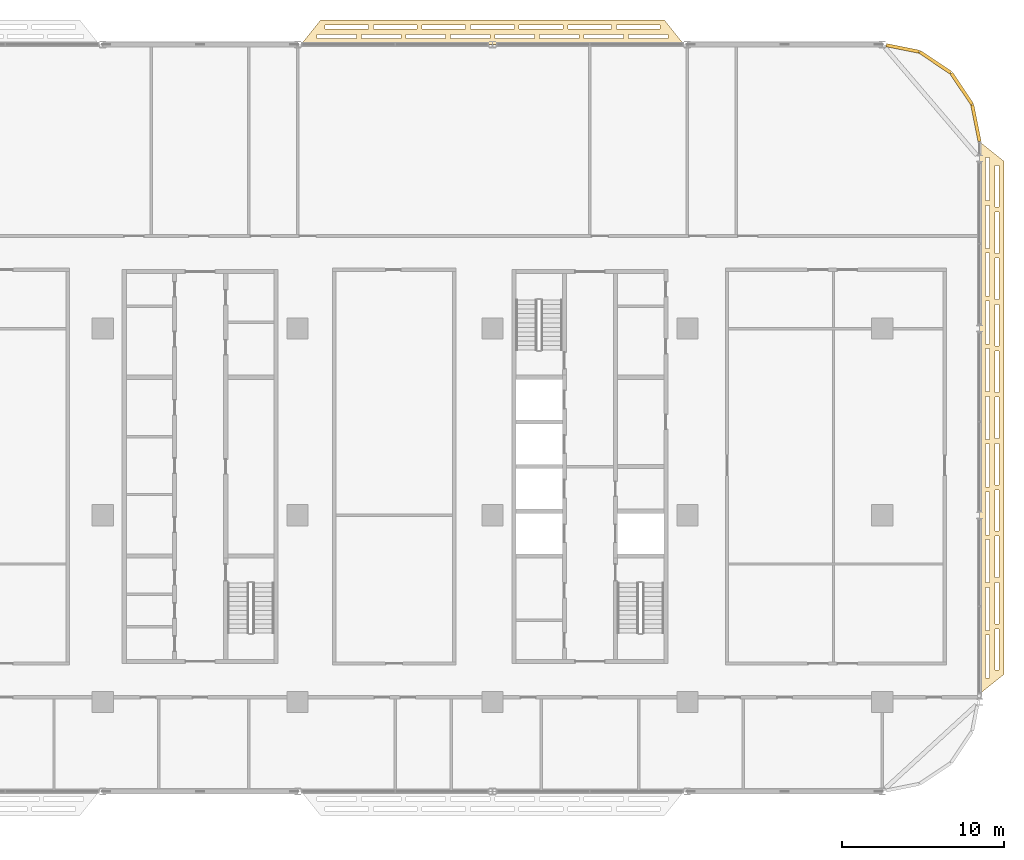
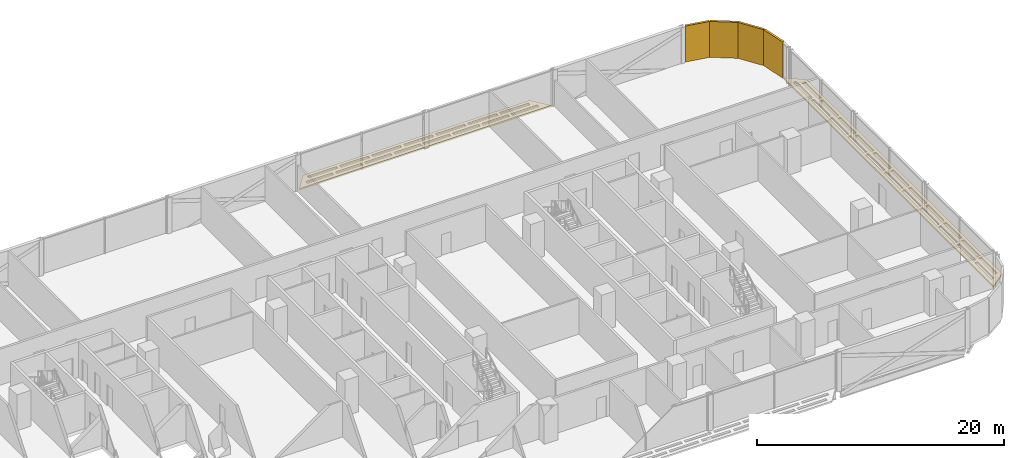
# One storey, part 29 of 29: 6 coverings.
"""IFC4 building model written with IfcOpenShell, lengths in metres."""

from ifc_helpers import new_model, si_unit, direction, frame, origin, origin_2d, place, context, subcontext, project, spatial, polyline, rectangle, outline, extrude, material, layer, layer_set, type_object, element, save


model = new_model("IFC4")

# Units and contexts
model_context = context("Model", 3, precision=1e-05, world=origin(), true_north=direction((0.0, 1.0)))
body_context = subcontext(model_context, "Body", "Model", "MODEL_VIEW")
ifc_project = project(units=[si_unit("LENGTHUNIT", "METRE"), si_unit("AREAUNIT", "SQUARE_METRE"), si_unit("VOLUMEUNIT", "CUBIC_METRE"), si_unit("PLANEANGLEUNIT", "RADIAN"), si_unit("MASSUNIT", "GRAM", prefix="KILO")], contexts=[model_context])

# Site, building, storey
site_placement = place(None, origin())
site = spatial("IfcSite", under=ifc_project, at=site_placement, CompositionType="ELEMENT")
building_placement = place(site_placement, origin())
building = spatial("IfcBuilding", under=site, at=building_placement, Name="Mahtab Terrace Research Tower", CompositionType="ELEMENT")
storey_placement = place(building_placement, frame((0.0, 0.0, 150.699951171875)))
storey = spatial("IfcBuildingStorey", under=building, at=storey_placement, Name="L35", CompositionType="ELEMENT", Elevation=150.699951171875)

# Coverings
ifc_material_1 = material(Name="Black aluminium cladding panel", Category="aluminium")
ifc_layer_1 = layer(ifc_material_1, 0.199951171875)
ifc_layer_set_1 = layer_set([ifc_layer_1], Name="Black metal corner cladding 200")
covering_type_1 = type_object("IfcCoveringType", Name="Black metal corner cladding 200", PredefinedType="CLADDING", material=ifc_layer_set_1)
for number, where, z_axis, x_axis, name in (
    (1, (46.89306640625, 26.26953125, 0.0), (0.0, 0.0, 1.0), (-0.555291490808, 0.831655794326, 0.0), "Corner cladding L35 0"),
    (2, (45.26953125, 27.89306640625, 0.0), (0.0, 0.0, 1.0), (-0.831655794326, 0.555291490808, 0.0), "Corner cladding L35 1"),
):
    element("IfcCovering", number, at=place(storey_placement, frame(where, z_axis=z_axis, x_axis=x_axis)), inside=storey, type_object=covering_type_1, Name=name, PredefinedType="CLADDING", context=body_context, shape_type="SweptSolid", body=[
        extrude(rectangle(XDim=2.30126953125, YDim=0.199951171875, at=origin_2d()), origin(), (0.0, 0.0, 1.0), 3.550048828125),
    ])
covering_1_placement = place(storey_placement, frame((43.263916015625, 28.74853515625, 0.0), z_axis=(0.0, 0.0, 1.0), x_axis=(-0.980760981187, 0.195212442692, 0.0)))
element("IfcCovering", 3, at=covering_1_placement, inside=storey, type_object=covering_type_1, Name="Corner cladding L35 2", PredefinedType="CLADDING", context=body_context, shape_type="SweptSolid", body=[
    extrude(rectangle(XDim=2.064697265625, YDim=0.199951171875, at=origin_2d()), origin(), (0.0, 0.0, 1.0), 3.550048828125),
])
covering_2_placement = place(storey_placement, frame((47.771484375, 24.14794921875, 0.0), z_axis=(0.0, 0.0, 1.0), x_axis=(-0.195212442692, 0.980760981187, 0.0)))
element("IfcCovering", 4, at=covering_2_placement, inside=storey, type_object=covering_type_1, Name="Corner cladding L35 40", PredefinedType="CLADDING", context=body_context, shape_type="SweptSolid", body=[
    extrude(rectangle(XDim=2.30126953125, YDim=0.199951171875, at=origin_2d()), origin(), (0.0, 0.0, 1.0), 3.550048828125),
])
ifc_material_2 = material(Name="Black anodised aluminium", Category="aluminium")
ifc_layer_2 = layer(ifc_material_2, 0.14990234375)
ifc_layer_set_2 = layer_set([ifc_layer_2], Name="Horizontal sunshade band")
covering_type_2 = type_object("IfcCoveringType", Name="Horizontal sunshade band", PredefinedType="CLADDING", material=ifc_layer_set_2)
covering_3_placement = place(storey_placement, frame((0.0, 0.0, -0.14990234375)))
element("IfcCovering", 5, at=covering_3_placement, inside=storey, type_object=covering_type_2, Name="Sunshade band L35 4", PredefinedType="CLADDING", context=body_context, shape_type="SweptSolid", body=[
    extrude(outline(polyline([(29.781982421875, 29.0), (6.218017578125, 29.0), (7.41796875, 30.5), (28.58203125, 30.5), (29.781982421875, 29.0)]), holes=[polyline([(28.802001953125, 29.35009765625), (26.364013671875, 29.35009765625), (26.364013671875, 29.60009765625), (28.802001953125, 29.60009765625), (28.802001953125, 29.35009765625)]), polyline([(26.06396484375, 29.35009765625), (23.6259765625, 29.35009765625), (23.6259765625, 29.60009765625), (26.06396484375, 29.60009765625), (26.06396484375, 29.35009765625)]), polyline([(23.325927734375, 29.35009765625), (20.887939453125, 29.35009765625), (20.887939453125, 29.60009765625), (23.325927734375, 29.60009765625), (23.325927734375, 29.35009765625)]), polyline([(20.587890625, 29.35009765625), (18.14990234375, 29.35009765625), (18.14990234375, 29.60009765625), (20.587890625, 29.60009765625), (20.587890625, 29.35009765625)]), polyline([(17.85009765625, 29.35009765625), (15.412109375, 29.35009765625), (15.412109375, 29.60009765625), (17.85009765625, 29.60009765625), (17.85009765625, 29.35009765625)]), polyline([(15.112060546875, 29.35009765625), (12.674072265625, 29.35009765625), (12.674072265625, 29.60009765625), (15.112060546875, 29.60009765625), (15.112060546875, 29.35009765625)]), polyline([(12.3740234375, 29.35009765625), (9.93603515625, 29.35009765625), (9.93603515625, 29.60009765625), (12.3740234375, 29.60009765625), (12.3740234375, 29.35009765625)]), polyline([(9.635986328125, 29.35009765625), (7.197998046875, 29.35009765625), (7.197998046875, 29.60009765625), (9.635986328125, 29.60009765625), (9.635986328125, 29.35009765625)]), polyline([(28.322021484375, 29.949951171875), (25.6298828125, 29.949951171875), (25.6298828125, 30.199951171875), (28.322021484375, 30.199951171875), (28.322021484375, 29.949951171875)]), polyline([(25.330078125, 29.949951171875), (22.637939453125, 29.949951171875), (22.637939453125, 30.199951171875), (25.330078125, 30.199951171875), (25.330078125, 29.949951171875)]), polyline([(22.337890625, 29.949951171875), (19.64599609375, 29.949951171875), (19.64599609375, 30.199951171875), (22.337890625, 30.199951171875), (22.337890625, 29.949951171875)]), polyline([(19.345947265625, 29.949951171875), (16.654052734375, 29.949951171875), (16.654052734375, 30.199951171875), (19.345947265625, 30.199951171875), (19.345947265625, 29.949951171875)]), polyline([(16.35400390625, 29.949951171875), (13.662109375, 29.949951171875), (13.662109375, 30.199951171875), (16.35400390625, 30.199951171875), (16.35400390625, 29.949951171875)]), polyline([(13.362060546875, 29.949951171875), (10.669921875, 29.949951171875), (10.669921875, 30.199951171875), (13.362060546875, 30.199951171875), (13.362060546875, 29.949951171875)]), polyline([(10.3701171875, 29.949951171875), (7.677978515625, 29.949951171875), (7.677978515625, 30.199951171875), (10.3701171875, 30.199951171875), (10.3701171875, 29.949951171875)])]), origin(), (0.0, 0.0, 1.0), 0.14990234375),
])
covering_4_placement = place(storey_placement, frame((0.0, 0.0, -0.14990234375)))
element("IfcCovering", 6, at=covering_4_placement, inside=storey, type_object=covering_type_2, Name="Sunshade band L35 36", PredefinedType="CLADDING", context=body_context, shape_type="SweptSolid", body=[
    extrude(outline(polyline([(48.0, -11.0), (48.0, 23.0), (49.5, 21.800048828125), (49.5, -9.800048828125), (48.0, -11.0)]), holes=[polyline([(48.35009765625, -10.02001953125), (48.35009765625, -7.3798828125), (48.60009765625, -7.3798828125), (48.60009765625, -10.02001953125), (48.35009765625, -10.02001953125)]), polyline([(48.35009765625, -7.080078125), (48.35009765625, -4.43994140625), (48.60009765625, -4.43994140625), (48.60009765625, -7.080078125), (48.35009765625, -7.080078125)]), polyline([(48.35009765625, -4.139892578125), (48.35009765625, -1.5), (48.60009765625, -1.5), (48.60009765625, -4.139892578125), (48.35009765625, -4.139892578125)]), polyline([(48.35009765625, -1.199951171875), (48.35009765625, 1.43994140625), (48.60009765625, 1.43994140625), (48.60009765625, -1.199951171875), (48.35009765625, -1.199951171875)]), polyline([(48.35009765625, 1.739990234375), (48.35009765625, 4.3798828125), (48.60009765625, 4.3798828125), (48.60009765625, 1.739990234375), (48.35009765625, 1.739990234375)]), polyline([(48.35009765625, 4.679931640625), (48.35009765625, 7.320068359375), (48.60009765625, 7.320068359375), (48.60009765625, 4.679931640625), (48.35009765625, 4.679931640625)]), polyline([(48.35009765625, 7.6201171875), (48.35009765625, 10.260009765625), (48.60009765625, 10.260009765625), (48.60009765625, 7.6201171875), (48.35009765625, 7.6201171875)]), polyline([(48.35009765625, 10.56005859375), (48.35009765625, 13.199951171875), (48.60009765625, 13.199951171875), (48.60009765625, 10.56005859375), (48.35009765625, 10.56005859375)]), polyline([(48.35009765625, 13.5), (48.35009765625, 16.139892578125), (48.60009765625, 16.139892578125), (48.60009765625, 13.5), (48.35009765625, 13.5)]), polyline([(48.35009765625, 16.43994140625), (48.35009765625, 19.080078125), (48.60009765625, 19.080078125), (48.60009765625, 16.43994140625), (48.35009765625, 16.43994140625)]), polyline([(48.35009765625, 19.3798828125), (48.35009765625, 22.02001953125), (48.60009765625, 22.02001953125), (48.60009765625, 19.3798828125), (48.35009765625, 19.3798828125)]), polyline([(48.949951171875, -9.5400390625), (48.949951171875, -6.987060546875), (49.199951171875, -6.987060546875), (49.199951171875, -9.5400390625), (48.949951171875, -9.5400390625)]), polyline([(48.949951171875, -6.68701171875), (48.949951171875, -4.135009765625), (49.199951171875, -4.135009765625), (49.199951171875, -6.68701171875), (48.949951171875, -6.68701171875)]), polyline([(48.949951171875, -3.8349609375), (48.949951171875, -1.281982421875), (49.199951171875, -1.281982421875), (49.199951171875, -3.8349609375), (48.949951171875, -3.8349609375)]), polyline([(48.949951171875, -0.98193359375), (48.949951171875, 1.571044921875), (49.199951171875, 1.571044921875), (49.199951171875, -0.98193359375), (48.949951171875, -0.98193359375)]), polyline([(48.949951171875, 1.87109375), (48.949951171875, 4.424072265625), (49.199951171875, 4.424072265625), (49.199951171875, 1.87109375), (48.949951171875, 1.87109375)]), polyline([(48.949951171875, 4.72412109375), (48.949951171875, 7.27587890625), (49.199951171875, 7.27587890625), (49.199951171875, 4.72412109375), (48.949951171875, 4.72412109375)]), polyline([(48.949951171875, 7.575927734375), (48.949951171875, 10.12890625), (49.199951171875, 10.12890625), (49.199951171875, 7.575927734375), (48.949951171875, 7.575927734375)]), polyline([(48.949951171875, 10.428955078125), (48.949951171875, 12.98193359375), (49.199951171875, 12.98193359375), (49.199951171875, 10.428955078125), (48.949951171875, 10.428955078125)]), polyline([(48.949951171875, 13.281982421875), (48.949951171875, 15.8349609375), (49.199951171875, 15.8349609375), (49.199951171875, 13.281982421875), (48.949951171875, 13.281982421875)]), polyline([(48.949951171875, 16.135009765625), (48.949951171875, 18.68701171875), (49.199951171875, 18.68701171875), (49.199951171875, 16.135009765625), (48.949951171875, 16.135009765625)]), polyline([(48.949951171875, 18.987060546875), (48.949951171875, 21.5400390625), (49.199951171875, 21.5400390625), (49.199951171875, 18.987060546875), (48.949951171875, 18.987060546875)])]), origin(), (0.0, 0.0, 1.0), 0.14990234375),
])

save(model, "model.ifc")
